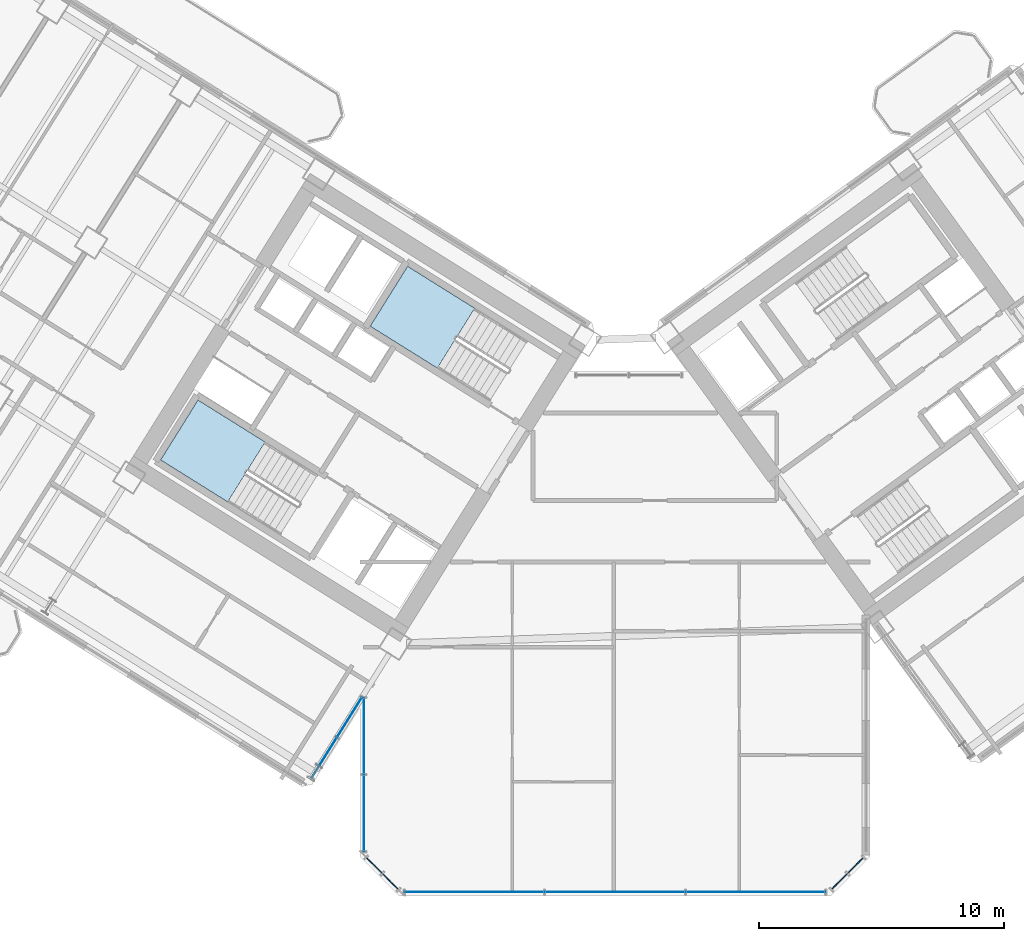
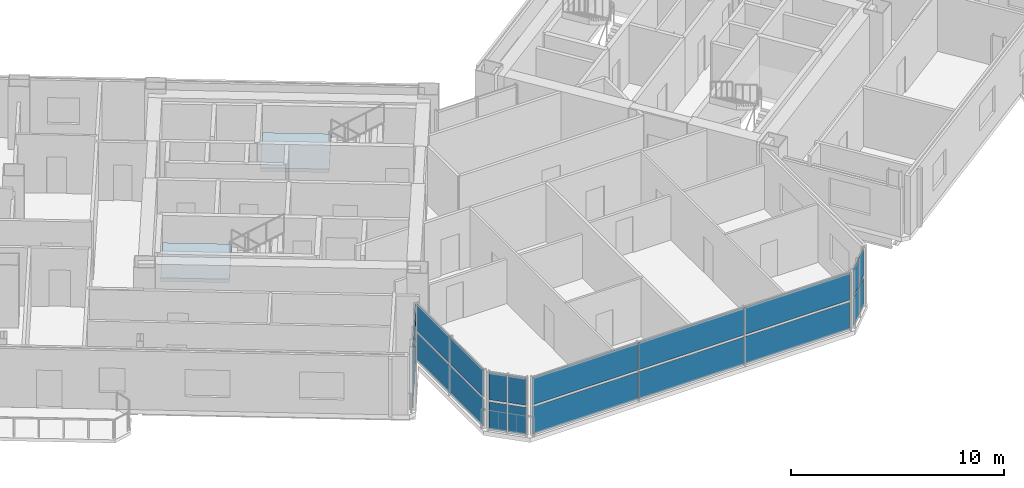
# One storey, part 13 of 28: 22 plates, 2 slabs, 7 elements without a shape of their own.
"""IFC4 building model written with IfcOpenShell, lengths in metres."""

from ifc_helpers import new_model, si_unit, direction, frame, origin, origin_2d, place, context, subcontext, project, spatial, polyline, rectangle, outline, extrude, source, transform, mapped, material, layer, layer_set, type_object, element, aggregate, save


model = new_model("IFC4")

# Units and contexts
model_context = context("Model", 3, precision=1e-05, world=origin(), true_north=direction((0.0, 1.0)))
body_context = subcontext(model_context, "Body", "Model", "MODEL_VIEW")
ifc_project = project(units=[si_unit("LENGTHUNIT", "METRE"), si_unit("AREAUNIT", "SQUARE_METRE"), si_unit("VOLUMEUNIT", "CUBIC_METRE"), si_unit("PLANEANGLEUNIT", "RADIAN"), si_unit("MASSUNIT", "GRAM", prefix="KILO")], contexts=[model_context])

# Site, building, storey
site_placement = place(None, origin())
site = spatial("IfcSite", under=ifc_project, at=site_placement, CompositionType="ELEMENT")
building_placement = place(site_placement, origin())
building = spatial("IfcBuilding", under=site, at=building_placement, Name="Tlacorven Tower", CompositionType="ELEMENT")
storey_placement = place(building_placement, frame((0.0, 0.0, 56.39990234375)))
storey = spatial("IfcBuildingStorey", under=building, at=storey_placement, Name="L14", CompositionType="ELEMENT", Elevation=56.39990234375)

# Stair, slab
ifc_material_1 = material(Name="Concrete C40/50", Category="concrete")
stair_type = type_object("IfcStairType", Name="ST-CORE-DLG", PredefinedType="HALF_TURN_STAIR", material=ifc_material_1)
stair_1_placement = place(storey_placement, origin())
stair_1 = element("IfcStair", 1, at=stair_1_placement, inside=storey, type_object=stair_type, Name="L14 Protected Exit Stair West 1", PredefinedType="HALF_TURN_STAIR")
ifc_layer_1 = layer(ifc_material_1, 0.199951171875)
ifc_layer_set_1 = layer_set([ifc_layer_1], Name="Concrete C40/50")
slab_type = type_object("IfcSlabType", Name="SL-LND-200", PredefinedType="LANDING", material=ifc_layer_set_1)
slab_1_placement = place(storey_placement, frame((0.0, 0.0, 1.60009765625)))
slab_1 = element("IfcSlab", 2, at=slab_1_placement, type_object=slab_type, Name="ST-W1 landing 1", PredefinedType="LANDING", context=body_context, shape_type="SweptSolid", body=[
    extrude(outline(polyline([(27.728515625, 20.315185546875), (24.9892578125, 22.02685546875), (23.463134765625, 19.58447265625), (26.2021484375, 17.872802734375), (27.728515625, 20.315185546875)])), origin(), (0.0, 0.0, 1.0), 0.199951171875),
])
aggregate(stair_1, [slab_1])

stair_2_placement = place(storey_placement, origin())
stair_2 = element("IfcStair", 3, at=stair_2_placement, inside=storey, type_object=stair_type, Name="L14 Protected Exit Stair West 2", PredefinedType="HALF_TURN_STAIR")
slab_2_placement = place(storey_placement, frame((0.0, 0.0, 1.60009765625)))
slab_2 = element("IfcSlab", 4, at=slab_2_placement, type_object=slab_type, Name="ST-W2 landing 1", PredefinedType="LANDING", context=body_context, shape_type="SweptSolid", body=[
    extrude(outline(polyline([(36.280029296875, 25.772705078125), (33.540771484375, 27.484375), (32.0146484375, 25.0419921875), (34.75390625, 23.33056640625), (36.280029296875, 25.772705078125)])), origin(), (0.0, 0.0, 1.0), 0.199951171875),
])
aggregate(stair_2, [slab_2])

# Curtain wall, plates
ifc_material_2 = material(Name="Dark solar low-E double glazing in aluminium frame", Category="aluminium")
curtain_wall_type = type_object("IfcCurtainWallType", Name="CW-TWR-LOW", PredefinedType="USERDEFINED", material=ifc_material_2)
curtain_wall_1_placement = place(storey_placement, origin())
curtain_wall_1 = element("IfcCurtainWall", 5, at=curtain_wall_1_placement, inside=storey, type_object=curtain_wall_type, Name="L14 CW-TWR-LOW Curtain Wall 75", ObjectType="UNITISED CURTAIN WALL", PredefinedType="USERDEFINED")
ifc_material_3 = material(Name="Dark solar double low-E glazing", Category="glass")
ifc_layer_2 = layer(ifc_material_3, 0.031982421875)
ifc_layer_set_2 = layer_set([ifc_layer_2], Name="Dark solar double low-E glazing")
plate_type = type_object("IfcPlateType", Name="CWP-02", PredefinedType="CURTAIN_PANEL", material=ifc_layer_set_2)
shared_shape_1 = source(origin(), body_context, "Body", "SweptSolid", [
    extrude(rectangle(XDim=0.878173828125, YDim=0.031982421875, at=origin_2d()), origin(), (0.0, 0.0, 1.0), 1.552978515625),
])
plate_1_placement = place(storey_placement, frame((51.815673828125, 3.0419921875, 0.06103515625), z_axis=(0.0, 0.0, 1.0), x_axis=(-0.707106781187, -0.707106781187, 0.0)))
plate_1 = element("IfcPlate", 6, at=plate_1_placement, type_object=plate_type, Name="CW-L14-075 Glazing Panel 1", PredefinedType="CURTAIN_PANEL", context=body_context, shape_type="MappedRepresentation", body=[
    mapped(shared_shape_1, transform((0.0, 0.0, 0.0), scale=1.0)),
])
plate_2_placement = place(storey_placement, frame((51.815673828125, 3.0419921875, 1.736328125), z_axis=(0.0, 0.0, 1.0), x_axis=(-0.707106781187, -0.707106781187, 0.0)))
plate_2 = element("IfcPlate", 7, at=plate_2_placement, type_object=plate_type, Name="CW-L14-075 Glazing Panel 2", PredefinedType="CURTAIN_PANEL", context=body_context, shape_type="MappedRepresentation", body=[
    mapped(shared_shape_1, transform((0.0, 0.0, 0.0), scale=1.0)),
])
plate_3_placement = place(storey_placement, frame((51.157958984375, 2.38427734375, 0.06103515625), z_axis=(0.0, 0.0, 1.0), x_axis=(-0.707106781187, -0.707106781187, 0.0)))
plate_3 = element("IfcPlate", 8, at=plate_3_placement, type_object=plate_type, Name="CW-L14-075 Glazing Panel 3", PredefinedType="CURTAIN_PANEL", context=body_context, shape_type="MappedRepresentation", body=[
    mapped(shared_shape_1, transform((0.0, 0.0, 0.0), scale=1.0)),
])
plate_4_placement = place(storey_placement, frame((51.157958984375, 2.38427734375, 1.736328125), z_axis=(0.0, 0.0, 1.0), x_axis=(-0.707106781187, -0.707106781187, 0.0)))
plate_4 = element("IfcPlate", 9, at=plate_4_placement, type_object=plate_type, Name="CW-L14-075 Glazing Panel 4", PredefinedType="CURTAIN_PANEL", context=body_context, shape_type="MappedRepresentation", body=[
    mapped(shared_shape_1, transform((0.0, 0.0, 0.0), scale=1.0)),
])
aggregate(curtain_wall_1, [plate_1, plate_2, plate_3, plate_4])

curtain_wall_2_placement = place(storey_placement, origin())
curtain_wall_2 = element("IfcCurtainWall", 10, at=curtain_wall_2_placement, inside=storey, type_object=curtain_wall_type, Name="L14 CW-TWR-LOW Curtain Wall 77", ObjectType="UNITISED CURTAIN WALL", PredefinedType="USERDEFINED")
plate_5_placement = place(storey_placement, frame((32.842041015625, 2.38427734375, 0.06103515625), z_axis=(0.0, 0.0, 1.0), x_axis=(-0.707106781187, 0.707106781187, 0.0)))
plate_5 = element("IfcPlate", 11, at=plate_5_placement, type_object=plate_type, Name="CW-L14-077 Glazing Panel 1", PredefinedType="CURTAIN_PANEL", context=body_context, shape_type="MappedRepresentation", body=[
    mapped(shared_shape_1, transform((0.0, 0.0, 0.0), scale=1.0)),
])
plate_6_placement = place(storey_placement, frame((32.842041015625, 2.38427734375, 1.736328125), z_axis=(0.0, 0.0, 1.0), x_axis=(-0.707106781187, 0.707106781187, 0.0)))
plate_6 = element("IfcPlate", 12, at=plate_6_placement, type_object=plate_type, Name="CW-L14-077 Glazing Panel 2", PredefinedType="CURTAIN_PANEL", context=body_context, shape_type="MappedRepresentation", body=[
    mapped(shared_shape_1, transform((0.0, 0.0, 0.0), scale=1.0)),
])
plate_7_placement = place(storey_placement, frame((32.184326171875, 3.0419921875, 0.06103515625), z_axis=(0.0, 0.0, 1.0), x_axis=(-0.707106781187, 0.707106781187, 0.0)))
plate_7 = element("IfcPlate", 13, at=plate_7_placement, type_object=plate_type, Name="CW-L14-077 Glazing Panel 3", PredefinedType="CURTAIN_PANEL", context=body_context, shape_type="MappedRepresentation", body=[
    mapped(shared_shape_1, transform((0.0, 0.0, 0.0), scale=1.0)),
])
plate_8_placement = place(storey_placement, frame((32.184326171875, 3.0419921875, 1.736328125), z_axis=(0.0, 0.0, 1.0), x_axis=(-0.707106781187, 0.707106781187, 0.0)))
plate_8 = element("IfcPlate", 14, at=plate_8_placement, type_object=plate_type, Name="CW-L14-077 Glazing Panel 4", PredefinedType="CURTAIN_PANEL", context=body_context, shape_type="MappedRepresentation", body=[
    mapped(shared_shape_1, transform((0.0, 0.0, 0.0), scale=1.0)),
])
aggregate(curtain_wall_2, [plate_5, plate_6, plate_7, plate_8])

curtain_wall_3_placement = place(storey_placement, origin())
curtain_wall_3 = element("IfcCurtainWall", 15, at=curtain_wall_3_placement, inside=storey, type_object=curtain_wall_type, Name="L14 CW-TWR-LOW Curtain Wall 76", ObjectType="UNITISED CURTAIN WALL", PredefinedType="USERDEFINED")
shared_shape_2 = source(origin(), body_context, "Body", "SweptSolid", [
    extrude(rectangle(XDim=5.668701171875, YDim=0.031982421875, at=origin_2d()), origin(), (0.0, 0.0, 1.0), 1.552978515625),
])
plate_9_placement = place(storey_placement, frame((47.73828125, 1.9599609375, 0.06103515625), z_axis=(0.0, 0.0, 1.0), x_axis=(-1.0, 0.0, 0.0)))
plate_9 = element("IfcPlate", 16, at=plate_9_placement, type_object=plate_type, Name="CW-L14-076 Glazing Panel 1", PredefinedType="CURTAIN_PANEL", context=body_context, shape_type="MappedRepresentation", body=[
    mapped(shared_shape_2, transform((0.0, 0.0, 0.0), scale=1.0)),
])
plate_10_placement = place(storey_placement, frame((47.73828125, 1.9599609375, 1.736328125), z_axis=(0.0, 0.0, 1.0), x_axis=(-1.0, 0.0, 0.0)))
plate_10 = element("IfcPlate", 17, at=plate_10_placement, type_object=plate_type, Name="CW-L14-076 Glazing Panel 2", PredefinedType="CURTAIN_PANEL", context=body_context, shape_type="MappedRepresentation", body=[
    mapped(shared_shape_2, transform((0.0, 0.0, 0.0), scale=1.0)),
])
plate_11_placement = place(storey_placement, frame((36.26171875, 1.9599609375, 0.06103515625), z_axis=(0.0, 0.0, 1.0), x_axis=(-1.0, 0.0, 0.0)))
plate_11 = element("IfcPlate", 18, at=plate_11_placement, type_object=plate_type, Name="CW-L14-076 Glazing Panel 5", PredefinedType="CURTAIN_PANEL", context=body_context, shape_type="MappedRepresentation", body=[
    mapped(shared_shape_2, transform((0.0, 0.0, 0.0), scale=1.0)),
])
plate_12_placement = place(storey_placement, frame((36.26171875, 1.9599609375, 1.736328125), z_axis=(0.0, 0.0, 1.0), x_axis=(-1.0, 0.0, 0.0)))
plate_12 = element("IfcPlate", 19, at=plate_12_placement, type_object=plate_type, Name="CW-L14-076 Glazing Panel 6", PredefinedType="CURTAIN_PANEL", context=body_context, shape_type="MappedRepresentation", body=[
    mapped(shared_shape_2, transform((0.0, 0.0, 0.0), scale=1.0)),
])
shared_shape_3 = source(origin(), body_context, "Body", "SweptSolid", [
    extrude(rectangle(XDim=5.703857421875, YDim=0.031982421875, at=origin_2d()), origin(), (0.0, 0.0, 1.0), 1.552978515625),
])
plate_13_placement = place(storey_placement, frame((42.0, 1.9599609375, 0.06103515625), z_axis=(0.0, 0.0, 1.0), x_axis=(-1.0, 0.0, 0.0)))
plate_13 = element("IfcPlate", 20, at=plate_13_placement, type_object=plate_type, Name="CW-L14-076 Glazing Panel 3", PredefinedType="CURTAIN_PANEL", context=body_context, shape_type="MappedRepresentation", body=[
    mapped(shared_shape_3, transform((0.0, 0.0, 0.0), scale=1.0)),
])
plate_14_placement = place(storey_placement, frame((42.0, 1.9599609375, 1.736328125), z_axis=(0.0, 0.0, 1.0), x_axis=(-1.0, 0.0, 0.0)))
plate_14 = element("IfcPlate", 21, at=plate_14_placement, type_object=plate_type, Name="CW-L14-076 Glazing Panel 4", PredefinedType="CURTAIN_PANEL", context=body_context, shape_type="MappedRepresentation", body=[
    mapped(shared_shape_3, transform((0.0, 0.0, 0.0), scale=1.0)),
])
aggregate(curtain_wall_3, [plate_9, plate_10, plate_13, plate_14, plate_11, plate_12])

curtain_wall_4_placement = place(storey_placement, origin())
curtain_wall_4 = element("IfcCurtainWall", 22, at=curtain_wall_4_placement, inside=storey, type_object=curtain_wall_type, Name="L14 CW-TWR-LOW Curtain Wall 78", ObjectType="UNITISED CURTAIN WALL", PredefinedType="USERDEFINED")
shared_shape_4 = source(origin(), body_context, "Body", "SweptSolid", [
    extrude(rectangle(XDim=3.09423828125, YDim=0.031982421875, at=origin_2d()), origin(), (0.0, 0.0, 1.0), 1.552978515625),
])
plate_15_placement = place(storey_placement, frame((31.760009765625, 5.17431640625, 0.06103515625), z_axis=(0.0, 0.0, 1.0), x_axis=(0.0, 1.0, 0.0)))
plate_15 = element("IfcPlate", 23, at=plate_15_placement, type_object=plate_type, Name="CW-L14-078 Glazing Panel 1", PredefinedType="CURTAIN_PANEL", context=body_context, shape_type="MappedRepresentation", body=[
    mapped(shared_shape_4, transform((0.0, 0.0, 0.0), scale=1.0)),
])
plate_16_placement = place(storey_placement, frame((31.760009765625, 5.17431640625, 1.736328125), z_axis=(0.0, 0.0, 1.0), x_axis=(0.0, 1.0, 0.0)))
plate_16 = element("IfcPlate", 24, at=plate_16_placement, type_object=plate_type, Name="CW-L14-078 Glazing Panel 2", PredefinedType="CURTAIN_PANEL", context=body_context, shape_type="MappedRepresentation", body=[
    mapped(shared_shape_4, transform((0.0, 0.0, 0.0), scale=1.0)),
])
plate_17_placement = place(storey_placement, frame((31.760009765625, 8.320556640625, 0.06103515625), z_axis=(0.0, 0.0, 1.0), x_axis=(0.0, 1.0, 0.0)))
plate_17 = element("IfcPlate", 25, at=plate_17_placement, type_object=plate_type, Name="CW-L14-078 Glazing Panel 3", PredefinedType="CURTAIN_PANEL", context=body_context, shape_type="MappedRepresentation", body=[
    mapped(shared_shape_4, transform((0.0, 0.0, 0.0), scale=1.0)),
])
plate_18_placement = place(storey_placement, frame((31.760009765625, 8.320556640625, 1.736328125), z_axis=(0.0, 0.0, 1.0), x_axis=(0.0, 1.0, 0.0)))
plate_18 = element("IfcPlate", 26, at=plate_18_placement, type_object=plate_type, Name="CW-L14-078 Glazing Panel 4", PredefinedType="CURTAIN_PANEL", context=body_context, shape_type="MappedRepresentation", body=[
    mapped(shared_shape_4, transform((0.0, 0.0, 0.0), scale=1.0)),
])
aggregate(curtain_wall_4, [plate_15, plate_16, plate_17, plate_18])

curtain_wall_5_placement = place(storey_placement, origin())
curtain_wall_5 = element("IfcCurtainWall", 27, at=curtain_wall_5_placement, inside=storey, type_object=curtain_wall_type, Name="L14 CW-TWR-LOW Curtain Wall 79", ObjectType="UNITISED CURTAIN WALL", PredefinedType="USERDEFINED")
shared_shape_5 = source(origin(), body_context, "Body", "SweptSolid", [
    extrude(rectangle(XDim=1.896240234375, YDim=0.031982421875, at=origin_2d()), origin(), (0.0, 0.0, 1.0), 1.552978515625),
])
plate_19_placement = place(storey_placement, frame((31.172119140625, 9.087890625, 0.06103515625), z_axis=(0.0, 0.0, 1.0), x_axis=(-0.529918710919, -0.848048441905, 0.0)))
plate_19 = element("IfcPlate", 28, at=plate_19_placement, type_object=plate_type, Name="CW-L14-079 Glazing Panel 1", PredefinedType="CURTAIN_PANEL", context=body_context, shape_type="MappedRepresentation", body=[
    mapped(shared_shape_5, transform((0.0, 0.0, 0.0), scale=1.0)),
])
plate_20_placement = place(storey_placement, frame((31.172119140625, 9.087890625, 1.736328125), z_axis=(0.0, 0.0, 1.0), x_axis=(-0.529918710919, -0.848048441905, 0.0)))
plate_20 = element("IfcPlate", 29, at=plate_20_placement, type_object=plate_type, Name="CW-L14-079 Glazing Panel 2", PredefinedType="CURTAIN_PANEL", context=body_context, shape_type="MappedRepresentation", body=[
    mapped(shared_shape_5, transform((0.0, 0.0, 0.0), scale=1.0)),
])
plate_21_placement = place(storey_placement, frame((30.1396484375, 7.435791015625, 0.06103515625), z_axis=(0.0, 0.0, 1.0), x_axis=(-0.529918710919, -0.848048441905, 0.0)))
plate_21 = element("IfcPlate", 30, at=plate_21_placement, type_object=plate_type, Name="CW-L14-079 Glazing Panel 3", PredefinedType="CURTAIN_PANEL", context=body_context, shape_type="MappedRepresentation", body=[
    mapped(shared_shape_5, transform((0.0, 0.0, 0.0), scale=1.0)),
])
plate_22_placement = place(storey_placement, frame((30.1396484375, 7.435791015625, 1.736328125), z_axis=(0.0, 0.0, 1.0), x_axis=(-0.529918710919, -0.848048441905, 0.0)))
plate_22 = element("IfcPlate", 31, at=plate_22_placement, type_object=plate_type, Name="CW-L14-079 Glazing Panel 4", PredefinedType="CURTAIN_PANEL", context=body_context, shape_type="MappedRepresentation", body=[
    mapped(shared_shape_5, transform((0.0, 0.0, 0.0), scale=1.0)),
])
aggregate(curtain_wall_5, [plate_19, plate_20, plate_21, plate_22])

save(model, "model.ifc")
